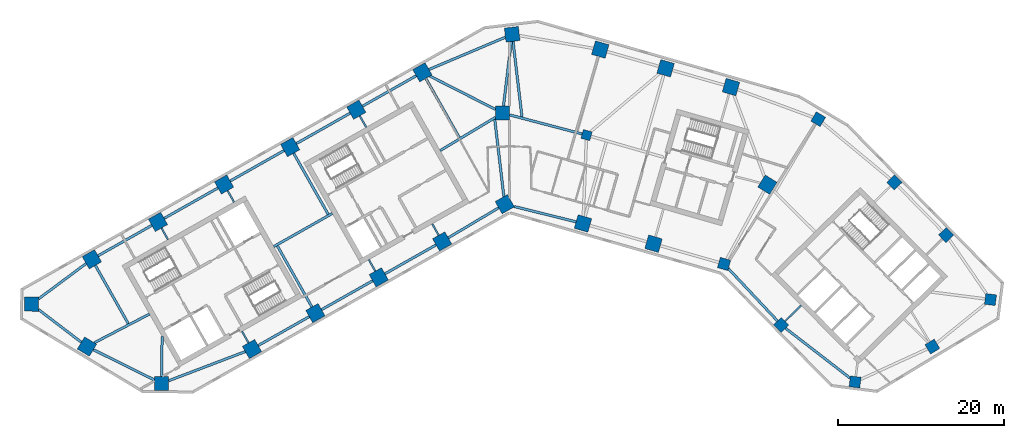
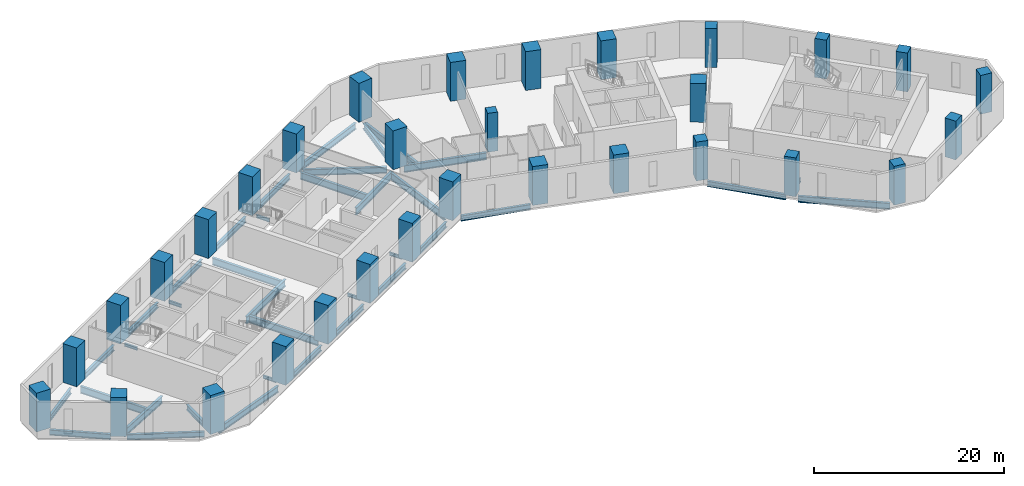
# One storey, part 1 of 10: 37 beams, 31 columns.
"""IFC4 building model written with IfcOpenShell, lengths in metres."""

from ifc_helpers import new_model, si_unit, direction, frame, origin, origin_2d, place, context, subcontext, project, spatial, rectangle, i_section, extrude, material, material_profile, profile_set, type_object, element, save


model = new_model("IFC4")

# Units and contexts
model_context = context("Model", 3, precision=1e-05, world=origin(), true_north=direction((0.0, 1.0)))
body_context = subcontext(model_context, "Body", "Model", "MODEL_VIEW")
ifc_project = project(units=[si_unit("LENGTHUNIT", "METRE"), si_unit("AREAUNIT", "SQUARE_METRE"), si_unit("VOLUMEUNIT", "CUBIC_METRE"), si_unit("PLANEANGLEUNIT", "RADIAN"), si_unit("MASSUNIT", "GRAM", prefix="KILO")], contexts=[model_context])

# Site, building, storey
site_placement = place(None, origin())
site = spatial("IfcSite", under=ifc_project, at=site_placement, CompositionType="ELEMENT")
building_placement = place(site_placement, origin())
building = spatial("IfcBuilding", under=site, at=building_placement, Name="Binnacle Exchange Tower", CompositionType="ELEMENT")
storey_placement = place(building_placement, frame((0.0, 0.0, 41.5)))
storey = spatial("IfcBuildingStorey", under=building, at=storey_placement, Name="L08", CompositionType="ELEMENT", Elevation=41.5)

# Columns
ifc_material_1 = material(Name="Concrete C60/75", Category="concrete")
ifc_material_profile_1 = material_profile(ifc_material_1, rectangle(XDim=1.10009765625, YDim=1.10009765625, at=origin_2d()), Name="Column 1100x1100 C60/75")
ifc_profile_set_1 = profile_set([ifc_material_profile_1], Name="Concrete C60/75")
column_type_1 = type_object("IfcColumnType", Name="Column 1100x1100 C60/75", PredefinedType="COLUMN", material=ifc_profile_set_1)
column_placement = place(storey_placement, frame((9.240966796875, 57.35009765625, 0.0), z_axis=(0.0, 0.0, 1.0), x_axis=(0.961261695938, -0.275637355817, 0.0)))
element("IfcColumn", 1, at=column_placement, inside=storey, type_object=column_type_1, Name="S:COL:C19:L08", PredefinedType="COLUMN", context=body_context, shape_type="SweptSolid", body=[
    extrude(rectangle(XDim=1.10009765625, YDim=1.10009765625, at=origin_2d()), origin(), (0.0, 0.0, 1.0), 5.0),
])
ifc_material_2 = material(Name="Concrete C70/85", Category="concrete")
ifc_material_profile_2 = material_profile(ifc_material_2, rectangle(XDim=1.300048828125, YDim=1.300048828125, at=origin_2d()), Name="Mega column 1300x1300 C70/85")
ifc_profile_set_2 = profile_set([ifc_material_profile_2], Name="Concrete C70/85")
column_type_2 = type_object("IfcColumnType", Name="Mega column 1300x1300 C70/85", PredefinedType="COLUMN", material=ifc_profile_set_2)
for number, where, z_axis, x_axis, name in (
    (2, (37.0849609375, 59.262451171875, 0.0), (0.0, 0.0, 1.0), (-0.859406411501, 0.511293086077, 0.0), "S:COL:MC57:L08"),
    (3, (25.766845703125, 41.85986328125, 0.0), (0.0, 0.0, 1.0), (0.961261695938, -0.275637355817, 0.0), "S:COL:MC56:L08"),
    (4, (32.64111328125, 34.530029296875, 0.0), (0.0, 0.0, 1.0), (0.7009092643, -0.713250449154, 0.0), "S:COL:MC59:L08"),
    (5, (41.519775390625, 27.6748046875, 0.0), (0.0, 0.0, 1.0), (0.99200494968, -0.126198969136, 0.0), "S:COL:MC61:L08"),
    (6, (50.81201171875, 31.930908203125, 0.0), (0.0, 0.0, 1.0), (0.857167300702, 0.51503807491, 0.0), "S:COL:MC63:L08"),
    (7, (57.799072265625, 37.5810546875, 0.0), (0.0, 0.0, 1.0), (0.126198969136, 0.99200494968, 0.0), "S:COL:MC62:L08"),
    (8, (52.466796875, 45.33935546875, 0.0), (0.0, 0.0, 1.0), (-0.7009092643, 0.713250449154, 0.0), "S:COL:MC60:L08"),
    (9, (46.248291015625, 51.667236328125, 0.0), (0.0, 0.0, 1.0), (-0.7009092643, 0.713250449154, 0.0), "S:COL:MC58:L08"),
):
    element("IfcColumn", number, at=place(storey_placement, frame(where, z_axis=z_axis, x_axis=x_axis)), inside=storey, type_object=column_type_2, Name=name, PredefinedType="COLUMN", context=body_context, shape_type="SweptSolid", body=[
        extrude(rectangle(XDim=1.300048828125, YDim=1.300048828125, at=origin_2d()), origin(), (0.0, 0.0, 1.0), 5.0),
    ])
ifc_material_profile_3 = material_profile(ifc_material_2, rectangle(XDim=1.699951171875, YDim=1.699951171875, at=origin_2d()), Name="Mega column 1700x1700 C70/85")
ifc_profile_set_3 = profile_set([ifc_material_profile_3], Name="Concrete C70/85")
column_type_3 = type_object("IfcColumnType", Name="Mega column 1700x1700 C70/85", PredefinedType="COLUMN", material=ifc_profile_set_3)
for number, where, z_axis, x_axis, name in (
    (10, (26.602783203125, 63.12353515625, 0.0), (0.0, 0.0, 1.0), (-0.961261695938, 0.275637355817, 0.0), "S:COL:MC52:L08"),
    (11, (18.746337890625, 65.376220703125, 0.0), (0.0, 0.0, 1.0), (-0.961261695938, 0.275637355817, 0.0), "S:COL:MC50:L08"),
    (12, (10.889892578125, 67.62890625, 0.0), (0.0, 0.0, 1.0), (-0.961261695938, 0.275637355817, 0.0), "S:COL:MC48:L08"),
    (13, (0.300048828125, 69.464111328125, 0.0), (0.0, 0.0, 1.0), (-0.993068456955, -0.117537397458, 0.0), "S:COL:MC47:L08"),
    (14, (-10.4951171875, 64.901611328125, 0.0), (0.0, 0.0, 1.0), (-0.87035569594, -0.492423560103, 0.0), "S:COL:MC38:L08"),
    (15, (-18.44140625, 60.406005859375, 0.0), (0.0, 0.0, 1.0), (-0.87035569594, -0.492423560103, 0.0), "S:COL:MC29:L08"),
    (16, (-26.3876953125, 55.91015625, 0.0), (0.0, 0.0, 1.0), (-0.87035569594, -0.492423560103, 0.0), "S:COL:MC21:L08"),
    (17, (-34.333740234375, 51.414306640625, 0.0), (0.0, 0.0, 1.0), (-0.87035569594, -0.492423560103, 0.0), "S:COL:MC13:L08"),
    (18, (-42.280029296875, 46.918701171875, 0.0), (0.0, 0.0, 1.0), (-0.87035569594, -0.492423560103, 0.0), "S:COL:MC08:L08"),
    (19, (-50.226318359375, 42.4228515625, 0.0), (0.0, 0.0, 1.0), (-0.87035569594, -0.492423560103, 0.0), "S:COL:MC04:L08"),
    (20, (-57.492919921875, 37.02734375, 0.0), (0.0, 0.0, 1.0), (-0.013089595571, -0.999914327574, 0.0), "S:COL:MC02:L08"),
    (21, (-50.81201171875, 31.930908203125, 0.0), (0.0, 0.0, 1.0), (0.857167300702, -0.51503807491, 0.0), "S:COL:MC01:L08"),
    (22, (-41.857666015625, 27.494873046875, 0.0), (0.0, 0.0, 1.0), (0.999914327574, -0.013089595571, 0.0), "S:COL:MC03:L08"),
    (23, (-30.9755859375, 31.63525390625, 0.0), (0.0, 0.0, 1.0), (0.87035569594, 0.492423560103, 0.0), "S:COL:MC07:L08"),
    (24, (-23.35595703125, 35.9462890625, 0.0), (0.0, 0.0, 1.0), (0.87035569594, 0.492423560103, 0.0), "S:COL:MC16:L08"),
    (25, (-15.736328125, 40.257080078125, 0.0), (0.0, 0.0, 1.0), (0.87035569594, 0.492423560103, 0.0), "S:COL:MC24:L08"),
    (26, (-8.116943359375, 44.568115234375, 0.0), (0.0, 0.0, 1.0), (0.87035569594, 0.492423560103, 0.0), "S:COL:MC35:L08"),
    (27, (-0.5908203125, 49.04443359375, 0.0), (0.0, 0.0, 1.0), (0.87035569594, 0.492423560103, 0.0), "S:COL:MC46:L08"),
    (28, (8.8095703125, 46.722412109375, 0.0), (0.0, 0.0, 1.0), (0.961261695938, -0.275637355817, 0.0), "S:COL:MC49:L08"),
    (29, (17.2880859375, 44.291015625, 0.0), (0.0, 0.0, 1.0), (0.961261695938, -0.275637355817, 0.0), "S:COL:MC51:L08"),
    (30, (30.989501953125, 51.38623046875, 0.0), (0.0, 0.0, 1.0), (0.529919264233, 0.848048096156, 0.0), "S:COL:MC55:L08"),
    (31, (-0.85009765625, 60.0, 0.0), (0.0, 0.0, 1.0), (0.0, 1.0, 0.0), "S:COL:MC45:L08"),
):
    element("IfcColumn", number, at=place(storey_placement, frame(where, z_axis=z_axis, x_axis=x_axis)), inside=storey, type_object=column_type_3, Name=name, PredefinedType="COLUMN", context=body_context, shape_type="SweptSolid", body=[
        extrude(rectangle(XDim=1.699951171875, YDim=1.699951171875, at=origin_2d()), origin(), (0.0, 0.0, 1.0), 5.0),
    ])

# Beams
ifc_material_3 = material(Name="Steel S355 (SHN355)", Category="steel")
ifc_material_profile_4 = material_profile(ifc_material_3, i_section(OverallWidth=0.300048828125, OverallDepth=0.699951171875, WebThickness=0.012939453125, FlangeThickness=0.02392578125, FilletRadius=0.028076171875, at=origin_2d()), Name="H 700x300x13x24")
ifc_profile_set_4 = profile_set([ifc_material_profile_4], Name="Steel S355 (SHN355)")
beam_type_1 = type_object("IfcBeamType", Name="Edge girder H 700x300x13x24 Steel S355 (SHN355)", PredefinedType="SPANDREL", material=ifc_profile_set_4)
beam_1_placement = place(storey_placement, frame((-56.6513671875, 36.38525390625, -0.669921875), z_axis=(0.795093040263, -0.606487474994, 0.0), x_axis=(0.606487474994, 0.795093040263, 0.0)))
element("IfcBeam", 32, at=beam_1_placement, inside=storey, type_object=beam_type_1, Name="S:BM:edge:L08:015", PredefinedType="SPANDREL", context=body_context, shape_type="SweptSolid", body=[
    extrude(i_section(OverallWidth=0.300048828125, OverallDepth=0.699951171875, WebThickness=0.012939453125, FlangeThickness=0.02392578125, FilletRadius=0.028076171875, at=origin_2d()), origin(), (0.0, 0.0, 1.0), 6.489013671875),
])
beam_2_placement = place(storey_placement, frame((-50.913818359375, 41.912353515625, -0.669921875), z_axis=(-0.80288535334, -0.59613346609, 0.0), x_axis=(0.59613346609, -0.80288535334, 0.0)))
element("IfcBeam", 33, at=beam_2_placement, inside=storey, type_object=beam_type_1, Name="S:BM:edge:L08:016", PredefinedType="SPANDREL", context=body_context, shape_type="SweptSolid", body=[
    extrude(i_section(OverallWidth=0.300048828125, OverallDepth=0.699951171875, WebThickness=0.012939453125, FlangeThickness=0.02392578125, FilletRadius=0.028076171875, at=origin_2d()), origin(), (0.0, 0.0, 1.0), 7.125244140625),
])
beam_3_placement = place(storey_placement, frame((-43.019775390625, 46.5, -0.669921875), z_axis=(-0.870364477798, -0.492408037898, 0.0), x_axis=(0.492408037898, -0.870364477798, 0.0)))
element("IfcBeam", 34, at=beam_3_placement, inside=storey, type_object=beam_type_1, Name="S:BM:edge:L08:018", PredefinedType="SPANDREL", context=body_context, shape_type="SweptSolid", body=[
    extrude(i_section(OverallWidth=0.300048828125, OverallDepth=0.699951171875, WebThickness=0.012939453125, FlangeThickness=0.02392578125, FilletRadius=0.028076171875, at=origin_2d()), origin(), (0.0, 0.0, 1.0), 7.4296875),
])
beam_4_placement = place(storey_placement, frame((-35.073486328125, 50.995849609375, -0.669921875), z_axis=(-0.870372444894, -0.492393955253, 0.0), x_axis=(0.492393955253, -0.870372444894, 0.0)))
element("IfcBeam", 35, at=beam_4_placement, inside=storey, type_object=beam_type_1, Name="S:BM:edge:L08:020", PredefinedType="SPANDREL", context=body_context, shape_type="SweptSolid", body=[
    extrude(i_section(OverallWidth=0.300048828125, OverallDepth=0.699951171875, WebThickness=0.012939453125, FlangeThickness=0.02392578125, FilletRadius=0.028076171875, at=origin_2d()), origin(), (0.0, 0.0, 1.0), 7.429931640625),
])
beam_5_placement = place(storey_placement, frame((-30.23583984375, 32.053955078125, -0.669921875), z_axis=(0.870373276953, 0.492392484473, 0.0), x_axis=(-0.492392484473, 0.870373276953, 0.0)))
element("IfcBeam", 36, at=beam_5_placement, inside=storey, type_object=beam_type_1, Name="S:BM:edge:L08:021", PredefinedType="SPANDREL", context=body_context, shape_type="SweptSolid", body=[
    extrude(i_section(OverallWidth=0.300048828125, OverallDepth=0.699951171875, WebThickness=0.012939453125, FlangeThickness=0.02392578125, FilletRadius=0.028076171875, at=origin_2d()), origin(), (0.0, 0.0, 1.0), 7.0546875),
])
beam_6_placement = place(storey_placement, frame((-27.12744140625, 55.49169921875, -0.669921875), z_axis=(-0.870350394687, -0.492432929919, 0.0), x_axis=(0.492432929919, -0.870350394687, 0.0)))
element("IfcBeam", 37, at=beam_6_placement, inside=storey, type_object=beam_type_1, Name="S:BM:edge:L08:022", PredefinedType="SPANDREL", context=body_context, shape_type="SweptSolid", body=[
    extrude(i_section(OverallWidth=0.300048828125, OverallDepth=0.699951171875, WebThickness=0.012939453125, FlangeThickness=0.02392578125, FilletRadius=0.028076171875, at=origin_2d()), origin(), (0.0, 0.0, 1.0), 7.429931640625),
])
beam_7_placement = place(storey_placement, frame((-22.6162109375, 36.36474609375, -0.669921875), z_axis=(0.870350053651, 0.492433532681, 0.0), x_axis=(-0.492433532681, 0.870350053651, 0.0)))
element("IfcBeam", 38, at=beam_7_placement, inside=storey, type_object=beam_type_1, Name="S:BM:edge:L08:023", PredefinedType="SPANDREL", context=body_context, shape_type="SweptSolid", body=[
    extrude(i_section(OverallWidth=0.300048828125, OverallDepth=0.699951171875, WebThickness=0.012939453125, FlangeThickness=0.02392578125, FilletRadius=0.028076171875, at=origin_2d()), origin(), (0.0, 0.0, 1.0), 7.054443359375),
])
beam_8_placement = place(storey_placement, frame((-19.18115234375, 59.9873046875, -0.669921875), z_axis=(-0.870364477798, -0.492408037898, 0.0), x_axis=(0.492408037898, -0.870364477798, 0.0)))
element("IfcBeam", 39, at=beam_8_placement, inside=storey, type_object=beam_type_1, Name="S:BM:edge:L08:024", PredefinedType="SPANDREL", context=body_context, shape_type="SweptSolid", body=[
    extrude(i_section(OverallWidth=0.300048828125, OverallDepth=0.699951171875, WebThickness=0.012939453125, FlangeThickness=0.02392578125, FilletRadius=0.028076171875, at=origin_2d()), origin(), (0.0, 0.0, 1.0), 7.4296875),
])
beam_9_placement = place(storey_placement, frame((-14.99658203125, 40.67578125, -0.669921875), z_axis=(0.870364886025, 0.492407316329, 0.0), x_axis=(-0.492407316329, 0.870364886025, 0.0)))
element("IfcBeam", 40, at=beam_9_placement, inside=storey, type_object=beam_type_1, Name="S:BM:edge:L08:025", PredefinedType="SPANDREL", context=body_context, shape_type="SweptSolid", body=[
    extrude(i_section(OverallWidth=0.300048828125, OverallDepth=0.699951171875, WebThickness=0.012939453125, FlangeThickness=0.02392578125, FilletRadius=0.028076171875, at=origin_2d()), origin(), (0.0, 0.0, 1.0), 7.054443359375),
])
beam_10_placement = place(storey_placement, frame((-11.23486328125, 64.483154296875, -0.669921875), z_axis=(-0.870364477798, -0.492408037898, 0.0), x_axis=(0.492408037898, -0.870364477798, 0.0)))
element("IfcBeam", 41, at=beam_10_placement, inside=storey, type_object=beam_type_1, Name="S:BM:edge:L08:026", PredefinedType="SPANDREL", context=body_context, shape_type="SweptSolid", body=[
    extrude(i_section(OverallWidth=0.300048828125, OverallDepth=0.699951171875, WebThickness=0.012939453125, FlangeThickness=0.02392578125, FilletRadius=0.028076171875, at=origin_2d()), origin(), (0.0, 0.0, 1.0), 7.4296875),
])
beam_11_placement = place(storey_placement, frame((-7.38623046875, 45.002685546875, -0.669921875), z_axis=(0.859464815262, 0.511194905419, 0.0), x_axis=(-0.511194905419, 0.859464815262, 0.0)))
element("IfcBeam", 42, at=beam_11_placement, inside=storey, type_object=beam_type_1, Name="S:BM:edge:L08:027", PredefinedType="SPANDREL", context=body_context, shape_type="SweptSolid", body=[
    extrude(i_section(OverallWidth=0.300048828125, OverallDepth=0.699951171875, WebThickness=0.012939453125, FlangeThickness=0.02392578125, FilletRadius=0.028076171875, at=origin_2d()), origin(), (0.0, 0.0, 1.0), 7.056396484375),
])
beam_12_placement = place(storey_placement, frame((0.54443359375, 48.763916015625, -0.669921875), z_axis=(0.970818997342, -0.239813415805, 0.0), x_axis=(0.239813415805, 0.970818997342, 0.0)))
element("IfcBeam", 43, at=beam_12_placement, inside=storey, type_object=beam_type_1, Name="S:BM:edge:L08:029", PredefinedType="SPANDREL", context=body_context, shape_type="SweptSolid", body=[
    extrude(i_section(OverallWidth=0.300048828125, OverallDepth=0.699951171875, WebThickness=0.012939453125, FlangeThickness=0.02392578125, FilletRadius=0.028076171875, at=origin_2d()), origin(), (0.0, 0.0, 1.0), 7.662841796875),
])
ifc_material_profile_5 = material_profile(ifc_material_3, i_section(OverallWidth=0.302001953125, OverallDepth=0.7080078125, WebThickness=0.014892578125, FlangeThickness=0.028076171875, FilletRadius=0.028076171875, at=origin_2d()), Name="H 708x302x15x28")
ifc_profile_set_5 = profile_set([ifc_material_profile_5], Name="Steel S355 (SHN355)")
beam_type_2 = type_object("IfcBeamType", Name="Edge girder H 708x302x15x28 Steel S355 (SHN355)", PredefinedType="SPANDREL", material=ifc_profile_set_5)
beam_13_placement = place(storey_placement, frame((-50.0478515625, 31.55224609375, -0.674072265625), z_axis=(0.896059216286, -0.443934545749, 0.0), x_axis=(0.443934545749, 0.896059216286, 0.0)))
element("IfcBeam", 44, at=beam_13_placement, inside=storey, type_object=beam_type_2, Name="S:BM:edge:L08:017", PredefinedType="SPANDREL", context=body_context, shape_type="SweptSolid", body=[
    extrude(i_section(OverallWidth=0.302001953125, OverallDepth=0.7080078125, WebThickness=0.014892578125, FlangeThickness=0.028076171875, FilletRadius=0.028076171875, at=origin_2d()), origin(), (0.0, 0.0, 1.0), 8.197509765625),
])
beam_14_placement = place(storey_placement, frame((26.284912109375, 41.3076171875, -0.674072265625), z_axis=(0.684056711164, -0.729428828544, 0.0), x_axis=(0.729428828544, 0.684056711164, 0.0)))
element("IfcBeam", 45, at=beam_14_placement, inside=storey, type_object=beam_type_2, Name="S:BM:edge:L08:035", PredefinedType="SPANDREL", context=body_context, shape_type="SweptSolid", body=[
    extrude(i_section(OverallWidth=0.302001953125, OverallDepth=0.7080078125, WebThickness=0.014892578125, FlangeThickness=0.028076171875, FilletRadius=0.028076171875, at=origin_2d()), origin(), (0.0, 0.0, 1.0), 8.6416015625),
])
ifc_material_profile_6 = material_profile(ifc_material_3, i_section(OverallWidth=0.302001953125, OverallDepth=0.80810546875, WebThickness=0.01611328125, FlangeThickness=0.030029296875, FilletRadius=0.028076171875, at=origin_2d()), Name="H 808x302x16x30")
ifc_profile_set_6 = profile_set([ifc_material_profile_6], Name="Steel S355 (SHN355)")
beam_type_3 = type_object("IfcBeamType", Name="Edge girder H 808x302x16x30 Steel S355 (SHN355)", PredefinedType="SPANDREL", material=ifc_profile_set_6)
beam_15_placement = place(storey_placement, frame((-41.00341796875, 27.81982421875, -0.72412109375), z_axis=(0.934628738252, 0.355624973297, 0.0), x_axis=(-0.355624973297, 0.934628738252, 0.0)))
element("IfcBeam", 46, at=beam_15_placement, inside=storey, type_object=beam_type_3, Name="S:BM:edge:L08:019", PredefinedType="SPANDREL", context=body_context, shape_type="SweptSolid", body=[
    extrude(i_section(OverallWidth=0.302001953125, OverallDepth=0.80810546875, WebThickness=0.01611328125, FlangeThickness=0.030029296875, FilletRadius=0.028076171875, at=origin_2d()), origin(), (0.0, 0.0, 1.0), 9.869384765625),
])
beam_16_placement = place(storey_placement, frame((-0.51513671875, 69.11962890625, -0.72412109375), z_axis=(-0.921111373297, -0.389299162578, 0.0), x_axis=(0.389299162578, -0.921111373297, 0.0)))
element("IfcBeam", 47, at=beam_16_placement, inside=storey, type_object=beam_type_3, Name="S:BM:edge:L08:028", PredefinedType="SPANDREL", context=body_context, shape_type="SweptSolid", body=[
    extrude(i_section(OverallWidth=0.302001953125, OverallDepth=0.80810546875, WebThickness=0.01611328125, FlangeThickness=0.030029296875, FilletRadius=0.028076171875, at=origin_2d()), origin(), (0.0, 0.0, 1.0), 9.978759765625),
])
beam_17_placement = place(storey_placement, frame((33.160400390625, 34.12890625, -0.72412109375), z_axis=(0.791533490776, -0.611125791454, 0.0), x_axis=(0.611125791454, 0.791533490776, 0.0)))
element("IfcBeam", 48, at=beam_17_placement, inside=storey, type_object=beam_type_3, Name="S:BM:edge:L08:036", PredefinedType="SPANDREL", context=body_context, shape_type="SweptSolid", body=[
    extrude(i_section(OverallWidth=0.302001953125, OverallDepth=0.80810546875, WebThickness=0.01611328125, FlangeThickness=0.030029296875, FilletRadius=0.028076171875, at=origin_2d()), origin(), (0.0, 0.0, 1.0), 9.80712890625),
])
ifc_material_profile_7 = material_profile(ifc_material_3, i_section(OverallWidth=0.199951171875, OverallDepth=0.39990234375, WebThickness=0.008056640625, FlangeThickness=0.012939453125, FilletRadius=0.01611328125, at=origin_2d()), Name="H 400x200x8x13")
ifc_profile_set_7 = profile_set([ifc_material_profile_7], Name="Steel S355 (SHN355)")
beam_type_4 = type_object("IfcBeamType", Name="Floor beam H 400x200x8x13 Steel S355 (SHN355)", PredefinedType="BEAM", material=ifc_profile_set_7)
beam_18_placement = place(storey_placement, frame((-41.861328125, 46.178955078125, -0.52001953125), z_axis=(0.492366981934, -0.870387703901, 0.0), x_axis=(0.870387703901, 0.492366981934, 0.0)))
element("IfcBeam", 49, at=beam_18_placement, inside=storey, type_object=beam_type_4, Name="S:BM:cross:L08:044", PredefinedType="BEAM", context=body_context, shape_type="SweptSolid", body=[
    extrude(i_section(OverallWidth=0.199951171875, OverallDepth=0.39990234375, WebThickness=0.008056640625, FlangeThickness=0.012939453125, FilletRadius=0.01611328125, at=origin_2d()), origin(), (0.0, 0.0, 1.0), 1.584228515625),
])
beam_19_placement = place(storey_placement, frame((-33.915283203125, 50.674560546875, -0.52001953125), z_axis=(0.492483715062, -0.870321659158, 0.0), x_axis=(0.870321659158, 0.492483715062, 0.0)))
element("IfcBeam", 50, at=beam_19_placement, inside=storey, type_object=beam_type_4, Name="S:BM:cross:L08:046", PredefinedType="BEAM", context=body_context, shape_type="SweptSolid", body=[
    extrude(i_section(OverallWidth=0.199951171875, OverallDepth=0.39990234375, WebThickness=0.008056640625, FlangeThickness=0.012939453125, FilletRadius=0.01611328125, at=origin_2d()), origin(), (0.0, 0.0, 1.0), 1.58447265625),
])
for number, where, z_axis, x_axis, name in (
    (51, (-31.394287109375, 32.375, -0.52001953125), (-0.492366981934, 0.870387703901, 0.0), (-0.870387703901, -0.492366981934, 0.0), "S:BM:cross:L08:047"),
    (52, (-18.022705078125, 59.666259765625, -0.52001953125), (0.492366981934, -0.870387703901, 0.0), (0.870387703901, 0.492366981934, 0.0), "S:BM:cross:L08:050"),
    (53, (-16.155029296875, 40.9970703125, -0.52001953125), (-0.492366981934, 0.870387703901, 0.0), (-0.870387703901, -0.492366981934, 0.0), "S:BM:cross:L08:051"),
):
    element("IfcBeam", number, at=place(storey_placement, frame(where, z_axis=z_axis, x_axis=x_axis)), inside=storey, type_object=beam_type_4, Name=name, PredefinedType="BEAM", context=body_context, shape_type="SweptSolid", body=[
        extrude(i_section(OverallWidth=0.199951171875, OverallDepth=0.39990234375, WebThickness=0.008056640625, FlangeThickness=0.012939453125, FilletRadius=0.01611328125, at=origin_2d()), origin(), (0.0, 0.0, 1.0), 1.584228515625),
    ])
beam_20_placement = place(storey_placement, frame((-8.535400390625, 45.307861328125, -0.52001953125), z_axis=(-0.492483715062, 0.870321659158, 0.0), x_axis=(-0.870321659158, -0.492483715062, 0.0)))
element("IfcBeam", 54, at=beam_20_placement, inside=storey, type_object=beam_type_4, Name="S:BM:cross:L08:053", PredefinedType="BEAM", context=body_context, shape_type="SweptSolid", body=[
    extrude(i_section(OverallWidth=0.199951171875, OverallDepth=0.39990234375, WebThickness=0.008056640625, FlangeThickness=0.012939453125, FilletRadius=0.01611328125, at=origin_2d()), origin(), (0.0, 0.0, 1.0), 1.58447265625),
])
ifc_material_profile_8 = material_profile(ifc_material_3, i_section(OverallWidth=0.199951171875, OverallDepth=0.449951171875, WebThickness=0.009033203125, FlangeThickness=0.013916015625, FilletRadius=0.01806640625, at=origin_2d()), Name="H 450x200x9x14")
ifc_profile_set_8 = profile_set([ifc_material_profile_8], Name="Steel S355 (SHN355)")
beam_type_5 = type_object("IfcBeamType", Name="Floor beam H 450x200x9x14 Steel S355 (SHN355)", PredefinedType="BEAM", material=ifc_profile_set_8)
beam_21_placement = place(storey_placement, frame((33.104736328125, 34.985595703125, -0.544921875), z_axis=(0.713254209224, 0.700905438004, 0.0), x_axis=(-0.700905438004, 0.713254209224, 0.0)))
element("IfcBeam", 55, at=beam_21_placement, inside=storey, type_object=beam_type_5, Name="S:BM:cross:L08:061", PredefinedType="BEAM", context=body_context, shape_type="SweptSolid", body=[
    extrude(i_section(OverallWidth=0.199951171875, OverallDepth=0.449951171875, WebThickness=0.009033203125, FlangeThickness=0.013916015625, FilletRadius=0.01806640625, at=origin_2d()), origin(), (0.0, 0.0, 1.0), 2.70849609375),
])
ifc_material_profile_9 = material_profile(ifc_material_3, i_section(OverallWidth=0.300048828125, OverallDepth=0.699951171875, WebThickness=0.012939453125, FlangeThickness=0.02392578125, FilletRadius=0.028076171875, at=origin_2d()), Name="H 700x300x13x24")
ifc_profile_set_9 = profile_set([ifc_material_profile_9], Name="Steel S355 (SHN355)")
beam_type_6 = type_object("IfcBeamType", Name="Floor beam H 700x300x13x24 Steel S355 (SHN355)", PredefinedType="BEAM", material=ifc_profile_set_9)
beam_22_placement = place(storey_placement, frame((-41.8466796875, 28.3447265625, -0.669921875), z_axis=(0.013120628196, 0.999913920853, 0.0), x_axis=(-0.999913920853, 0.013120628196, 0.0)))
element("IfcBeam", 56, at=beam_22_placement, inside=storey, type_object=beam_type_6, Name="S:BM:cross:L08:045", PredefinedType="BEAM", context=body_context, shape_type="SweptSolid", body=[
    extrude(i_section(OverallWidth=0.300048828125, OverallDepth=0.699951171875, WebThickness=0.012939453125, FlangeThickness=0.02392578125, FilletRadius=0.028076171875, at=origin_2d()), origin(), (0.0, 0.0, 1.0), 4.80078125),
])
ifc_material_profile_10 = material_profile(ifc_material_3, i_section(OverallWidth=0.300048828125, OverallDepth=0.89990234375, WebThickness=0.01611328125, FlangeThickness=0.028076171875, FilletRadius=0.028076171875, at=origin_2d()), Name="H 900x300x16x28")
ifc_profile_set_10 = profile_set([ifc_material_profile_10], Name="Steel S355 (SHN355)")
beam_type_7 = type_object("IfcBeamType", Name="Floor beam H 900x300x16x28 Steel S355 (SHN355)", PredefinedType="BEAM", material=ifc_profile_set_10)
beam_23_placement = place(storey_placement, frame((-49.8076171875, 41.68310546875, -0.77001953125), z_axis=(0.492423370769, -0.87035580306, 0.0), x_axis=(0.87035580306, 0.492423370769, 0.0)))
element("IfcBeam", 57, at=beam_23_placement, inside=storey, type_object=beam_type_7, Name="S:BM:cross:L08:043", PredefinedType="BEAM", context=body_context, shape_type="SweptSolid", body=[
    extrude(i_section(OverallWidth=0.300048828125, OverallDepth=0.89990234375, WebThickness=0.01611328125, FlangeThickness=0.028076171875, FilletRadius=0.028076171875, at=origin_2d()), origin(), (0.0, 0.0, 1.0), 8.041259765625),
])
beam_24_placement = place(storey_placement, frame((-10.076416015625, 64.161865234375, -0.77001953125), z_axis=(0.492410737926, -0.870362950254, 0.0), x_axis=(0.870362950254, 0.492410737926, 0.0)))
element("IfcBeam", 58, at=beam_24_placement, inside=storey, type_object=beam_type_7, Name="S:BM:cross:L08:052", PredefinedType="BEAM", context=body_context, shape_type="SweptSolid", body=[
    extrude(i_section(OverallWidth=0.300048828125, OverallDepth=0.89990234375, WebThickness=0.01611328125, FlangeThickness=0.028076171875, FilletRadius=0.028076171875, at=origin_2d()), origin(), (0.0, 0.0, 1.0), 8.16943359375),
])
ifc_material_profile_11 = material_profile(ifc_material_3, i_section(OverallWidth=0.302001953125, OverallDepth=0.912109375, WebThickness=0.01806640625, FlangeThickness=0.033935546875, FilletRadius=0.028076171875, at=origin_2d()), Name="H 912x302x18x34")
ifc_profile_set_11 = profile_set([ifc_material_profile_11], Name="Steel S355 (SHN355)")
beam_type_8 = type_object("IfcBeamType", Name="Floor beam H 912x302x18x34 Steel S355 (SHN355)", PredefinedType="BEAM", material=ifc_profile_set_11)
for number, where, z_axis, x_axis, name in (
    (59, (-25.968994140625, 55.17041015625, -0.77587890625), (0.492409177884, -0.870363832851, 0.0), (0.870363832851, 0.492409177884, 0.0), "S:BM:cross:L08:048"),
    (60, (-23.774658203125, 36.68603515625, -0.77587890625), (-0.492409177884, 0.870363832851, 0.0), (-0.870363832851, -0.492409177884, 0.0), "S:BM:cross:L08:049"),
):
    element("IfcBeam", number, at=place(storey_placement, frame(where, z_axis=z_axis, x_axis=x_axis)), inside=storey, type_object=beam_type_8, Name=name, PredefinedType="BEAM", context=body_context, shape_type="SweptSolid", body=[
        extrude(i_section(OverallWidth=0.302001953125, OverallDepth=0.912109375, WebThickness=0.01806640625, FlangeThickness=0.033935546875, FilletRadius=0.028076171875, at=origin_2d()), origin(), (0.0, 0.0, 1.0), 8.43408203125),
    ])
ifc_material_profile_12 = material_profile(ifc_material_3, i_section(OverallWidth=0.302978515625, OverallDepth=0.91796875, WebThickness=0.01904296875, FlangeThickness=0.037109375, FilletRadius=0.028076171875, at=origin_2d()), Name="H 918x303x19x37")
ifc_profile_set_12 = profile_set([ifc_material_profile_12], Name="Steel S355 (SHN355)")
beam_type_9 = type_object("IfcBeamType", Name="Floor beam H 918x303x19x37 Steel S355 (SHN355)", PredefinedType="BEAM", material=ifc_profile_set_12)
beam_25_placement = place(storey_placement, frame((-0.69921875, 49.959716796875, -0.779052734375), z_axis=(-0.117528717449, 0.993069484263, 0.0), x_axis=(-0.993069484263, -0.117528717449, 0.0)))
element("IfcBeam", 61, at=beam_25_placement, inside=storey, type_object=beam_type_9, Name="S:BM:cross:L08:054", PredefinedType="BEAM", context=body_context, shape_type="SweptSolid", body=[
    extrude(i_section(OverallWidth=0.302978515625, OverallDepth=0.91796875, WebThickness=0.01904296875, FlangeThickness=0.037109375, FilletRadius=0.028076171875, at=origin_2d()), origin(), (0.0, 0.0, 1.0), 9.374755859375),
])
beam_26_placement = place(storey_placement, frame((0.39990234375, 68.6201171875, -0.779052734375), z_axis=(0.117562643201, -0.993065468599, 0.0), x_axis=(0.993065468599, 0.117562643201, 0.0)))
element("IfcBeam", 62, at=beam_26_placement, inside=storey, type_object=beam_type_9, Name="S:BM:cross:L08:055", PredefinedType="BEAM", context=body_context, shape_type="SweptSolid", body=[
    extrude(i_section(OverallWidth=0.302978515625, OverallDepth=0.91796875, WebThickness=0.01904296875, FlangeThickness=0.037109375, FilletRadius=0.028076171875, at=origin_2d()), origin(), (0.0, 0.0, 1.0), 9.14990234375),
])
ifc_material_profile_13 = material_profile(ifc_material_3, i_section(OverallWidth=0.302001953125, OverallDepth=0.7080078125, WebThickness=0.014892578125, FlangeThickness=0.028076171875, FilletRadius=0.028076171875, at=origin_2d()), Name="H 708x302x15x28")
ifc_profile_set_13 = profile_set([ifc_material_profile_13], Name="Steel S355 (SHN355)")
beam_type_10 = type_object("IfcBeamType", Name="Spine girder H 708x302x15x28 Steel S355 (SHN355)", PredefinedType="BEAM", material=ifc_profile_set_13)
beam_27_placement = place(storey_placement, frame((-0.74658203125, 60.85009765625, -0.674072265625), z_axis=(0.120621974738, 0.992698513755, 0.0), x_axis=(-0.992698513755, 0.120621974738, 0.0)))
element("IfcBeam", 63, at=beam_27_placement, inside=storey, type_object=beam_type_10, Name="S:BM:spine:L08:005", PredefinedType="BEAM", context=body_context, shape_type="SweptSolid", body=[
    extrude(i_section(OverallWidth=0.302001953125, OverallDepth=0.7080078125, WebThickness=0.014892578125, FlangeThickness=0.028076171875, FilletRadius=0.028076171875, at=origin_2d()), origin(), (0.0, 0.0, 1.0), 7.802490234375),
])
ifc_material_profile_14 = material_profile(ifc_material_3, i_section(OverallWidth=0.302001953125, OverallDepth=0.80810546875, WebThickness=0.01611328125, FlangeThickness=0.030029296875, FilletRadius=0.028076171875, at=origin_2d()), Name="H 808x302x16x30")
ifc_profile_set_14 = profile_set([ifc_material_profile_14], Name="Steel S355 (SHN355)")
beam_type_11 = type_object("IfcBeamType", Name="Spine girder H 808x302x16x30 Steel S355 (SHN355)", PredefinedType="BEAM", material=ifc_profile_set_14)
beam_28_placement = place(storey_placement, frame((-1.699951171875, 60.431884765625, -0.72412109375), z_axis=(-0.891471296315, 0.45307717648, 0.0), x_axis=(-0.45307717648, -0.891471296315, 0.0)))
element("IfcBeam", 64, at=beam_28_placement, inside=storey, type_object=beam_type_11, Name="S:BM:spine:L08:004", PredefinedType="BEAM", context=body_context, shape_type="SweptSolid", body=[
    extrude(i_section(OverallWidth=0.302001953125, OverallDepth=0.80810546875, WebThickness=0.01611328125, FlangeThickness=0.030029296875, FilletRadius=0.028076171875, at=origin_2d()), origin(), (0.0, 0.0, 1.0), 8.845703125),
])
ifc_material_profile_15 = material_profile(ifc_material_3, i_section(OverallWidth=0.300048828125, OverallDepth=0.89990234375, WebThickness=0.01611328125, FlangeThickness=0.028076171875, FilletRadius=0.028076171875, at=origin_2d()), Name="H 900x300x16x28")
ifc_profile_set_15 = profile_set([ifc_material_profile_15], Name="Steel S355 (SHN355)")
beam_type_12 = type_object("IfcBeamType", Name="Spine girder H 900x300x16x28 Steel S355 (SHN355)", PredefinedType="BEAM", material=ifc_profile_set_15)
beam_29_placement = place(storey_placement, frame((-49.927734375, 32.391357421875, -0.77001953125), z_axis=(0.886979965344, 0.461807904954, 0.0), x_axis=(-0.461807904954, 0.886979965344, 0.0)))
element("IfcBeam", 65, at=beam_29_placement, inside=storey, type_object=beam_type_12, Name="S:BM:spine:L08:001", PredefinedType="BEAM", context=body_context, shape_type="SweptSolid", body=[
    extrude(i_section(OverallWidth=0.300048828125, OverallDepth=0.89990234375, WebThickness=0.01611328125, FlangeThickness=0.028076171875, FilletRadius=0.028076171875, at=origin_2d()), origin(), (0.0, 0.0, 1.0), 7.463623046875),
])
beam_30_placement = place(storey_placement, frame((-8.36328125, 55.489990234375, -0.77001953125), z_axis=(0.857393122678, 0.514662057261, 0.0), x_axis=(-0.514662057261, 0.857393122678, 0.0)))
element("IfcBeam", 66, at=beam_30_placement, inside=storey, type_object=beam_type_12, Name="S:BM:spine:L08:003", PredefinedType="BEAM", context=body_context, shape_type="SweptSolid", body=[
    extrude(i_section(OverallWidth=0.300048828125, OverallDepth=0.89990234375, WebThickness=0.01611328125, FlangeThickness=0.028076171875, FilletRadius=0.028076171875, at=origin_2d()), origin(), (0.0, 0.0, 1.0), 7.771728515625),
])
ifc_material_profile_16 = material_profile(ifc_material_3, i_section(OverallWidth=0.302001953125, OverallDepth=0.912109375, WebThickness=0.01806640625, FlangeThickness=0.033935546875, FilletRadius=0.028076171875, at=origin_2d()), Name="H 912x302x18x34")
ifc_profile_set_16 = profile_set([ifc_material_profile_16], Name="Steel S355 (SHN355)")
beam_type_13 = type_object("IfcBeamType", Name="Spine girder H 912x302x18x34 Steel S355 (SHN355)", PredefinedType="BEAM", material=ifc_profile_set_16)
beam_31_placement = place(storey_placement, frame((-28.365478515625, 43.951416015625, -0.77587890625), z_axis=(0.870350319004, 0.492433063684, 0.0), x_axis=(-0.492433063684, 0.870350319004, 0.0)))
element("IfcBeam", 67, at=beam_31_placement, inside=storey, type_object=beam_type_13, Name="S:BM:spine:L08:002", PredefinedType="BEAM", context=body_context, shape_type="SweptSolid", body=[
    extrude(i_section(OverallWidth=0.302001953125, OverallDepth=0.912109375, WebThickness=0.01806640625, FlangeThickness=0.033935546875, FilletRadius=0.028076171875, at=origin_2d()), origin(), (0.0, 0.0, 1.0), 8.0908203125),
])
ifc_material_profile_17 = material_profile(ifc_material_3, i_section(OverallWidth=0.302978515625, OverallDepth=0.91796875, WebThickness=0.01904296875, FlangeThickness=0.037109375, FilletRadius=0.028076171875, at=origin_2d()), Name="H 918x303x19x37")
ifc_profile_set_17 = profile_set([ifc_material_profile_17], Name="Steel S355 (SHN355)")
beam_type_14 = type_object("IfcBeamType", Name="Spine girder H 918x303x19x37 Steel S355 (SHN355)", PredefinedType="BEAM", material=ifc_profile_set_17)
beam_32_placement = place(storey_placement, frame((0.0, 59.77685546875, -0.779052734375), z_axis=(0.967208571477, -0.253983423202, 0.0), x_axis=(0.253983423202, 0.967208571477, 0.0)))
element("IfcBeam", 68, at=beam_32_placement, inside=storey, type_object=beam_type_14, Name="S:BM:spine:L08:006", PredefinedType="BEAM", context=body_context, shape_type="SweptSolid", body=[
    extrude(i_section(OverallWidth=0.302978515625, OverallDepth=0.91796875, WebThickness=0.01904296875, FlangeThickness=0.037109375, FilletRadius=0.028076171875, at=origin_2d()), origin(), (0.0, 0.0, 1.0), 9.00390625),
])

save(model, "model.ifc")
